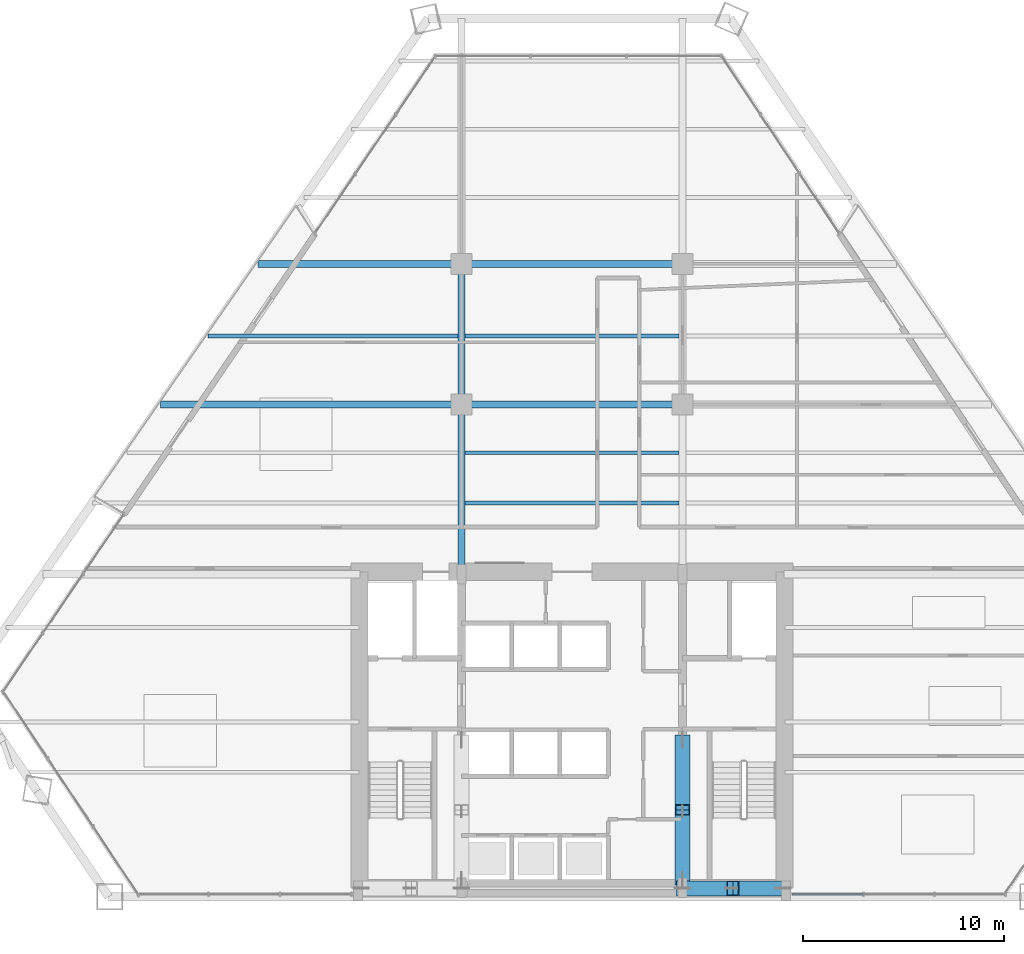
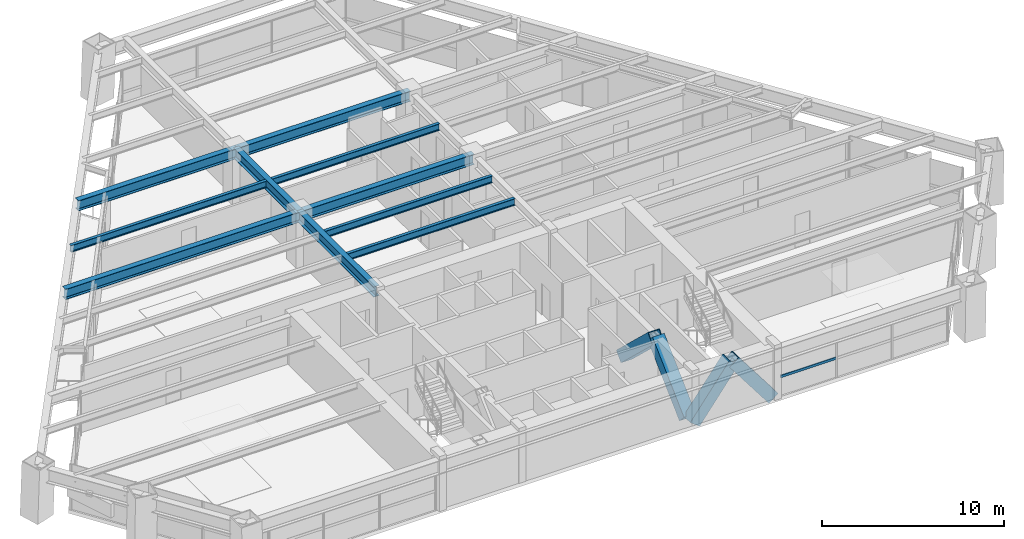
# One storey, part 5 of 15: 10 beams, 5 members, 1 element without a shape of its own.
"""IFC4 building model written with IfcOpenShell, lengths in metres."""

from ifc_helpers import new_model, si_unit, direction, frame, origin, origin_2d, place, context, subcontext, project, spatial, rectangle, hollow_rectangle, i_section, extrude, source, transform, mapped, material, material_profile, profile_set, type_object, type_shapes, element, aggregate, save


model = new_model("IFC4")

# Units and contexts
model_context = context("Model", 3, precision=1e-05, world=origin(), true_north=direction((0.0, 1.0)))
body_context = subcontext(model_context, "Body", "Model", "MODEL_VIEW")
ifc_project = project(units=[si_unit("LENGTHUNIT", "METRE"), si_unit("AREAUNIT", "SQUARE_METRE"), si_unit("VOLUMEUNIT", "CUBIC_METRE"), si_unit("PLANEANGLEUNIT", "RADIAN"), si_unit("MASSUNIT", "GRAM", prefix="KILO")], contexts=[model_context])

# Site, building, storey
site_placement = place(None, origin())
site = spatial("IfcSite", under=ifc_project, at=site_placement, CompositionType="ELEMENT")
building_placement = place(site_placement, origin())
building = spatial("IfcBuilding", under=site, at=building_placement, Name="Varnakhor Terracotta Tower", CompositionType="ELEMENT")
storey_placement = place(building_placement, frame((0.0, 0.0, 57.10009765625)))
storey = spatial("IfcBuildingStorey", under=building, at=storey_placement, Name="L13", CompositionType="ELEMENT", Elevation=57.10009765625)

# Beams
ifc_material_1 = material(Name="Steel S355", Category="steel")
ifc_material_profile_1 = material_profile(ifc_material_1, i_section(OverallWidth=0.35498046875, OverallDepth=0.695068359375, WebThickness=0.014892578125, FlangeThickness=0.02490234375, FilletRadius=0.01806640625, at=origin_2d()), Name="W27X146")
ifc_profile_set_1 = profile_set([ifc_material_profile_1], Name="Steel S355")
beam_type_1 = type_object("IfcBeamType", Name="BM-W27X146", PredefinedType="BEAM", material=ifc_profile_set_1)
shared_shape_1 = source(origin(), body_context, "Body", "SweptSolid", [
    extrude(i_section(OverallWidth=0.35498046875, OverallDepth=0.695068359375, WebThickness=0.014892578125, FlangeThickness=0.02490234375, FilletRadius=0.01806640625, at=origin_2d()), origin(), (0.0, 0.0, 1.0), 8.449951171875),
])
type_shapes(beam_type_1, [shared_shape_1])
beam_1_placement = place(storey_placement, frame((-5.5, 16.050048828125, 3.102294921875), z_axis=(0.0, 1.0, 0.0), x_axis=(-1.0, 0.0, 0.0)))
element("IfcBeam", 1, at=beam_1_placement, inside=storey, type_object=beam_type_1, Name="L13 Primary Girder NS1-W", PredefinedType="BEAM", context=body_context, shape_type="MappedRepresentation", body=[
    mapped(shared_shape_1, transform((0.0, 0.0, 0.0), scale=1.0)),
])
shared_shape_2 = source(origin(), body_context, "Body", "SweptSolid", [
    extrude(i_section(OverallWidth=0.35498046875, OverallDepth=0.695068359375, WebThickness=0.014892578125, FlangeThickness=0.02490234375, FilletRadius=0.01806640625, at=origin_2d()), origin(), (0.0, 0.0, 1.0), 7.0),
])
beam_2_placement = place(storey_placement, frame((-5.5, 24.5, 3.102294921875), z_axis=(0.0, 1.0, 0.0), x_axis=(-1.0, 0.0, 0.0)))
element("IfcBeam", 2, at=beam_2_placement, inside=storey, type_object=beam_type_1, Name="L13 Primary Girder NS2-W", PredefinedType="BEAM", context=body_context, shape_type="MappedRepresentation", body=[
    mapped(shared_shape_2, transform((0.0, 0.0, 0.0), scale=1.0)),
])
shared_shape_3 = source(origin(), body_context, "Body", "SweptSolid", [
    extrude(i_section(OverallWidth=0.35498046875, OverallDepth=0.695068359375, WebThickness=0.014892578125, FlangeThickness=0.02490234375, FilletRadius=0.01806640625, at=origin_2d()), origin(), (0.0, 0.0, 1.0), 11.0),
])
for number, where, z_axis, x_axis, name in (
    (3, (-5.5, 24.5, 3.102294921875), (1.0, 0.0, 0.0), (0.0, 1.0, 0.0), "L13 Primary Girder EW2-2"),
    (4, (-5.5, 31.5, 3.102294921875), (1.0, 0.0, 0.0), (0.0, 1.0, 0.0), "L13 Primary Girder EW3-2"),
):
    element("IfcBeam", number, at=place(storey_placement, frame(where, z_axis=z_axis, x_axis=x_axis)), inside=storey, type_object=beam_type_1, Name=name, PredefinedType="BEAM", context=body_context, shape_type="MappedRepresentation", body=[
        mapped(shared_shape_3, transform((0.0, 0.0, 0.0), scale=1.0)),
    ])
ifc_material_profile_2 = material_profile(ifc_material_1, i_section(OverallWidth=0.19189453125, OverallDepth=0.462890625, WebThickness=0.010498046875, FlangeThickness=0.017578125, FilletRadius=0.01806640625, at=origin_2d()), Name="W18X60")
ifc_profile_set_2 = profile_set([ifc_material_profile_2], Name="Steel S355")
beam_type_2 = type_object("IfcBeamType", Name="JST-W18X60", PredefinedType="JOIST", material=ifc_profile_set_2)
shared_shape_4 = source(origin(), body_context, "Body", "SweptSolid", [
    extrude(i_section(OverallWidth=0.19189453125, OverallDepth=0.462890625, WebThickness=0.010498046875, FlangeThickness=0.017578125, FilletRadius=0.01806640625, at=origin_2d()), origin(), (0.0, 0.0, 1.0), 10.65283203125),
])
for number, where, z_axis, x_axis, name in (
    (5, (-5.326416015625, 19.60009765625, 3.218505859375), (1.0, 0.0, 0.0), (0.0, 1.0, 0.0), "L13 Composite Floor Joist 4-2"),
    (6, (-5.326416015625, 22.10009765625, 3.218505859375), (1.0, 0.0, 0.0), (0.0, 1.0, 0.0), "L13 Composite Floor Joist 5-2"),
    (7, (-5.326416015625, 27.89990234375, 3.218505859375), (1.0, 0.0, 0.0), (0.0, 1.0, 0.0), "L13 Composite Floor Joist 6-2"),
):
    element("IfcBeam", number, at=place(storey_placement, frame(where, z_axis=z_axis, x_axis=x_axis)), inside=storey, type_object=beam_type_2, Name=name, PredefinedType="JOIST", context=body_context, shape_type="MappedRepresentation", body=[
        mapped(shared_shape_4, transform((0.0, 0.0, 0.0), scale=1.0)),
    ])

# Members
ifc_material_2 = material(Name="Steel S460", Category="steel")
ifc_material_profile_3 = material_profile(ifc_material_2, hollow_rectangle(XDim=0.75, YDim=0.75, WallThickness=0.044921875, at=origin_2d()), Name="HSS750X750X45")
ifc_profile_set_3 = profile_set([ifc_material_profile_3], Name="Steel S460")
member_type_1 = type_object("IfcMemberType", Name="MBR-MEGA-750", PredefinedType="BRACE", material=ifc_profile_set_3)
shared_shape_5 = source(origin(), body_context, "Body", "SweptSolid", [
    extrude(hollow_rectangle(XDim=0.75, YDim=0.75, WallThickness=0.044921875, at=origin_2d()), origin(), (0.0, 0.0, 1.0), 4.792236328125),
])
member_1_placement = place(storey_placement, frame((5.5, 7.800048828125, 0.0), z_axis=(0.0, -0.72515968173, 0.688580740359), x_axis=(1.0, 0.0, 0.0)))
element("IfcMember", 8, at=member_1_placement, inside=storey, type_object=member_type_1, Name="L13 Core Coupled Brace CWEB", PredefinedType="BRACE", context=body_context, shape_type="MappedRepresentation", body=[
    mapped(shared_shape_5, transform((0.0, 0.0, 0.0), scale=1.0)),
])
shared_shape_6 = source(origin(), body_context, "Body", "SweptSolid", [
    extrude(hollow_rectangle(XDim=0.75, YDim=0.75, WallThickness=0.044921875, at=origin_2d()), origin(), (0.0, 0.0, 1.0), 4.139892578125),
])
for number, where, z_axis, x_axis, name in (
    (9, (5.5, 0.419921875, 0.0), (0.603880396023, 0.0, 0.797074944594), (0.0, 1.0, 0.0), "L13 Core Coupled Brace CSEA"),
    (10, (10.5, 0.419921875, 0.0), (-0.603880396023, 0.0, 0.797074944594), (0.0, -1.0, 0.0), "L13 Core Coupled Brace CSEB"),
):
    element("IfcMember", number, at=place(storey_placement, frame(where, z_axis=z_axis, x_axis=x_axis)), inside=storey, type_object=member_type_1, Name=name, PredefinedType="BRACE", context=body_context, shape_type="MappedRepresentation", body=[
        mapped(shared_shape_6, transform((0.0, 0.0, 0.0), scale=1.0)),
    ])
shared_shape_7 = source(origin(), body_context, "Body", "SweptSolid", [
    extrude(hollow_rectangle(XDim=0.75, YDim=0.75, WallThickness=0.044921875, at=origin_2d()), origin(), (0.0, 0.0, 1.0), 4.7919921875),
])
member_2_placement = place(storey_placement, frame((5.5, 0.85009765625, 0.0), z_axis=(0.0, 0.725135524869, 0.688606179592), x_axis=(-1.0, 0.0, 0.0)))
element("IfcMember", 11, at=member_2_placement, inside=storey, type_object=member_type_1, Name="L13 Core Coupled Brace CWEA", PredefinedType="BRACE", context=body_context, shape_type="MappedRepresentation", body=[
    mapped(shared_shape_7, transform((0.0, 0.0, 0.0), scale=1.0)),
])

# Beams
shared_shape_8 = source(origin(), body_context, "Body", "SweptSolid", [
    extrude(i_section(OverallWidth=0.35498046875, OverallDepth=0.695068359375, WebThickness=0.014892578125, FlangeThickness=0.02490234375, FilletRadius=0.01806640625, at=origin_2d()), origin(), (0.0, 0.0, 1.0), 14.977294921875),
])
beam_3_placement = place(storey_placement, frame((-20.477294921875, 24.5, 3.102294921875), z_axis=(1.0, 0.0, 0.0), x_axis=(0.0, 1.0, 0.0)))
element("IfcBeam", 12, at=beam_3_placement, inside=storey, type_object=beam_type_1, Name="L13 Primary Girder EW2-1", PredefinedType="BEAM", context=body_context, shape_type="MappedRepresentation", body=[
    mapped(shared_shape_8, transform((0.0, 0.0, 0.0), scale=1.0)),
])
shared_shape_9 = source(origin(), body_context, "Body", "SweptSolid", [
    extrude(i_section(OverallWidth=0.35498046875, OverallDepth=0.695068359375, WebThickness=0.014892578125, FlangeThickness=0.02490234375, FilletRadius=0.01806640625, at=origin_2d()), origin(), (0.0, 0.0, 1.0), 10.122802734375),
])
beam_4_placement = place(storey_placement, frame((-15.622802734375, 31.5, 3.102294921875), z_axis=(1.0, 0.0, 0.0), x_axis=(0.0, 1.0, 0.0)))
element("IfcBeam", 13, at=beam_4_placement, inside=storey, type_object=beam_type_1, Name="L13 Primary Girder EW3-1", PredefinedType="BEAM", context=body_context, shape_type="MappedRepresentation", body=[
    mapped(shared_shape_9, transform((0.0, 0.0, 0.0), scale=1.0)),
])
shared_shape_10 = source(origin(), body_context, "Body", "SweptSolid", [
    extrude(i_section(OverallWidth=0.19189453125, OverallDepth=0.462890625, WebThickness=0.010498046875, FlangeThickness=0.017578125, FilletRadius=0.01806640625, at=origin_2d()), origin(), (0.0, 0.0, 1.0), 12.44580078125),
])
beam_5_placement = place(storey_placement, frame((-18.119384765625, 27.89990234375, 3.218505859375), z_axis=(1.0, 0.0, 0.0), x_axis=(0.0, 1.0, 0.0)))
element("IfcBeam", 14, at=beam_5_placement, inside=storey, type_object=beam_type_2, Name="L13 Composite Floor Joist 6-1", PredefinedType="JOIST", context=body_context, shape_type="MappedRepresentation", body=[
    mapped(shared_shape_10, transform((0.0, 0.0, 0.0), scale=1.0)),
])

# Curtain wall, member
ifc_material_3 = material(Name="Anodised Aluminium Curtain Wall System", Category="aluminium")
curtain_wall_type = type_object("IfcCurtainWallType", Name="CW-SYS-LOW-OFFICE", PredefinedType="NOTDEFINED", material=ifc_material_3)
curtain_wall_placement = place(storey_placement, origin())
curtain_wall = element("IfcCurtainWall", 15, at=curtain_wall_placement, inside=storey, type_object=curtain_wall_type, Name="L13 South Wing Curtain Wall SSE", PredefinedType="NOTDEFINED")
ifc_material_4 = material(Name="Anodised Aluminium 6063-T6", Category="aluminium")
ifc_material_profile_4 = material_profile(ifc_material_4, rectangle(XDim=0.074951171875, YDim=0.1650390625, at=origin_2d()), Name="ALU TRANSOM 75x165")
ifc_profile_set_4 = profile_set([ifc_material_profile_4], Name="Anodised Aluminium 6063-T6")
member_type_2 = type_object("IfcMemberType", Name="CWT-02", PredefinedType="USERDEFINED", material=ifc_profile_set_4)
shared_shape_11 = source(origin(), body_context, "Body", "SweptSolid", [
    extrude(rectangle(XDim=0.074951171875, YDim=0.1650390625, at=origin_2d()), origin(), (0.0, 0.0, 1.0), 3.533447265625),
])
member_3_placement = place(storey_placement, frame((14.50341796875, 0.1201171875, 1.2724609375), z_axis=(-1.0, 0.0, 0.0), x_axis=(0.0, -1.0, 0.0)))
member_3 = element("IfcMember", 16, at=member_3_placement, type_object=member_type_2, Name="L13 South Wing Curtain Wall SSE Transom 3", ObjectType="TRANSOM", PredefinedType="USERDEFINED", context=body_context, shape_type="MappedRepresentation", body=[
    mapped(shared_shape_11, transform((0.0, 0.0, 0.0), scale=1.0)),
])
aggregate(curtain_wall, [member_3])

save(model, "model.ifc")
